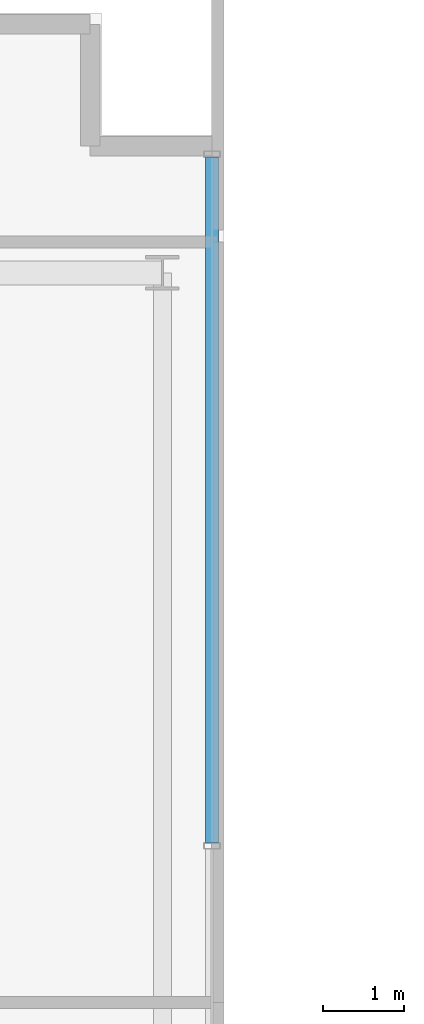
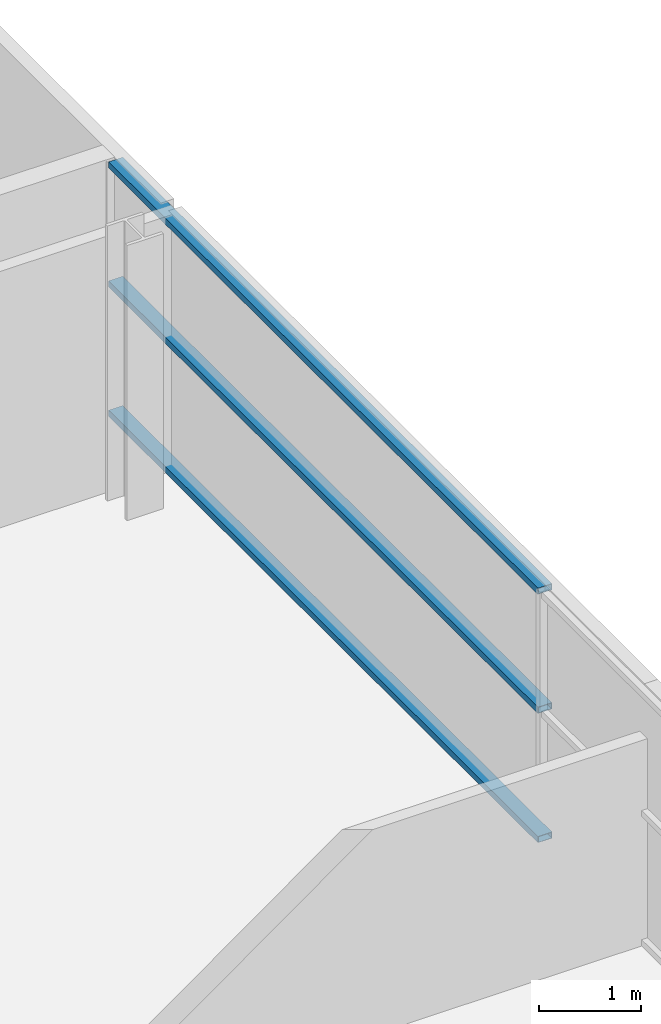
# One storey, part 12 of 26: 3 members, 1 element without a shape of its own.
"""IFC4 building model written with IfcOpenShell, lengths in metres."""

import ifcopenshell
import ifcopenshell.guid

model = None  # the IFC model being written
_history = None  # IfcOwnerHistory: only IFC2X3 demands one
_inside = {}  # id of a spatial element -> (the spatial element, [elements in it])
_under = {}  # id of a project, library or spatial element -> (it, [spatial elements below it])
_declared = {}  # id of a project -> (the project, [libraries it declares])
_typed = {}  # id of a type object -> (the type object, [elements of that type])
_made_of = {}  # id of a material, layer set ... -> (it, [elements and type objects made of it])


def new_model(schema):
    """Start an empty IFC model of exactly this schema.

    Asked for "IFC4X3", IfcOpenShell would pick the latest addendum, in which some entities
    have other attributes; the version numbers below select the first issue.
    IFC2X3 requires an IfcOwnerHistory on every rooted entity: one is made here for all.
    """
    global model, _history
    if schema == "IFC4X3":
        model = ifcopenshell.file(schema_version=(4, 3, 0, 0))
    else:
        model = ifcopenshell.file(schema=schema)
    _inside.clear()
    _under.clear()
    _declared.clear()
    _typed.clear()
    _made_of.clear()
    _history = None
    if model.schema == "IFC2X3":
        org = make("IfcOrganization", Name="unknown")
        user = make(
            "IfcPersonAndOrganization",
            ThePerson=make("IfcPerson", FamilyName="unknown"),
            TheOrganization=org,
        )
        app = make(
            "IfcApplication",
            ApplicationDeveloper=org,
            Version="unknown",
            ApplicationFullName="unknown",
            ApplicationIdentifier="unknown",
        )
        _history = make(
            "IfcOwnerHistory",
            OwningUser=user,
            OwningApplication=app,
            ChangeAction="ADDED",
            CreationDate=0,
        )
    return model


def make(cls, **values):
    """One entity of the class cls with the attributes given. An attribute that is None is left unset."""
    return model.create_entity(
        cls, **{name: value for name, value in values.items() if value is not None}
    )


def rooted(cls, **values):
    """An entity with a GlobalId (a new one), such as an element, a storey or a relation."""
    return make(cls, GlobalId=ifcopenshell.guid.new(), OwnerHistory=_history, **values)


def si_unit(unit_type, name, prefix=None):
    """IfcSIUnit, for example si_unit("LENGTHUNIT", "METRE", prefix="MILLI")."""
    return make("IfcSIUnit", UnitType=unit_type, Prefix=prefix, Name=name)


def assignment(units):
    """IfcUnitAssignment: the units of a project."""
    return None if units is None else make("IfcUnitAssignment", Units=units)


def point(xyz):
    """IfcCartesianPoint."""
    return None if xyz is None else make("IfcCartesianPoint", Coordinates=xyz)


def direction(xyz):
    """IfcDirection."""
    return None if xyz is None else make("IfcDirection", DirectionRatios=xyz)


def frame(location, z_axis=None, x_axis=None):
    """IfcAxis2Placement3D, a coordinate frame: its origin and axes. An axis left out is left unset."""
    return make(
        "IfcAxis2Placement3D",
        Location=point(location),
        Axis=direction(z_axis),
        RefDirection=direction(x_axis),
    )


def frame_2d(location, x_axis=None):
    """IfcAxis2Placement2D, a coordinate frame in the plane: its origin and x axis."""
    return make(
        "IfcAxis2Placement2D", Location=point(location), RefDirection=direction(x_axis)
    )


def origin():
    """The frame at (0, 0, 0) with its axes left unset."""
    return frame((0.0, 0.0, 0.0))


def origin_2d():
    """The frame at (0, 0) in the plane with its x axis left unset."""
    return frame_2d((0.0, 0.0))


def place(relative_to, where):
    """IfcLocalPlacement: puts the frame where relative to a parent placement (None: the world)."""
    return make(
        "IfcLocalPlacement", PlacementRelTo=relative_to, RelativePlacement=where
    )


def context(
    kind, dimensions, precision=None, world=None, true_north=None, identifier=None
):
    """IfcGeometricRepresentationContext, for example the 3D "Model" context."""
    return make(
        "IfcGeometricRepresentationContext",
        ContextIdentifier=identifier,
        ContextType=kind,
        CoordinateSpaceDimension=dimensions,
        Precision=precision,
        WorldCoordinateSystem=world,
        TrueNorth=true_north,
    )


def subcontext(parent, identifier, kind, view, scale=None):
    """IfcGeometricRepresentationSubContext, for example "Body" below "Model"."""
    return make(
        "IfcGeometricRepresentationSubContext",
        ContextIdentifier=identifier,
        ContextType=kind,
        ParentContext=parent,
        TargetScale=scale,
        TargetView=view,
    )


def project(units=None, contexts=None):
    """IfcProject with its units and contexts."""
    return rooted(
        "IfcProject",
        Name="project",
        RepresentationContexts=contexts,
        UnitsInContext=assignment(units),
    )


def spatial(cls, under=None, at=None, **own):
    """A site, building, storey or space (cls), placed at a placement, below another one or the project."""
    s = rooted(cls, ObjectPlacement=at, **own)
    if under is not None:
        _under.setdefault(under.id(), (under, []))[1].append(s)
    return s


def profile(cls, at=None, kind="AREA", **sizes):
    """A parametric profile (cls). Its sizes go by their IFC names, for example OverallWidth=200.0."""
    return make(cls, ProfileType=kind, Position=at, **sizes)


def hollow_rectangle(**sizes):
    """IfcRectangleHollowProfileDef."""
    return profile("IfcRectangleHollowProfileDef", **sizes)


def extrude(swept, where, along, depth):
    """IfcExtrudedAreaSolid: the profile swept, set in the frame where, extruded along a direction by depth."""
    return make(
        "IfcExtrudedAreaSolid",
        SweptArea=swept,
        Position=where,
        ExtrudedDirection=direction(along),
        Depth=depth,
    )


def shape(context_of_items, identifier, shape_type, items):
    """IfcShapeRepresentation: the items that make up one representation, for example the "Body"."""
    return make(
        "IfcShapeRepresentation",
        ContextOfItems=context_of_items,
        RepresentationIdentifier=identifier,
        RepresentationType=shape_type,
        Items=items,
    )


def source(mapping_origin, context_of_items, identifier, shape_type, items):
    """IfcRepresentationMap: a shape defined once, which mapped items show again and again."""
    return make(
        "IfcRepresentationMap",
        MappingOrigin=mapping_origin,
        MappedRepresentation=shape(context_of_items, identifier, shape_type, items),
    )


def transform(
    local_origin,
    x_axis=None,
    y_axis=None,
    z_axis=None,
    scale=None,
    scale2=None,
    scale3=None,
    uniform=True,
):
    """IfcCartesianTransformationOperator3D, or its non-uniform kind. x_axis, y_axis, z_axis: its Axis1, 2, 3."""
    if uniform:
        return make(
            "IfcCartesianTransformationOperator3D",
            Axis1=direction(x_axis),
            Axis2=direction(y_axis),
            LocalOrigin=point(local_origin),
            Scale=scale,
            Axis3=direction(z_axis),
        )
    return make(
        "IfcCartesianTransformationOperator3DnonUniform",
        Axis1=direction(x_axis),
        Axis2=direction(y_axis),
        LocalOrigin=point(local_origin),
        Scale=scale,
        Axis3=direction(z_axis),
        Scale2=scale2,
        Scale3=scale3,
    )


def mapped(mapping_source, mapping_target):
    """IfcMappedItem: shows the shape of a source again, moved by a transform."""
    return make(
        "IfcMappedItem", MappingSource=mapping_source, MappingTarget=mapping_target
    )


def material(Name=None, Category=None):
    """IfcMaterial."""
    return make("IfcMaterial", Name=Name, Category=Category)


def layer(
    of_material, thickness, ventilated=None, Name=None, Category=None, Priority=None
):
    """IfcMaterialLayer: one layer of a wall or slab, of a material (None: an air gap)."""
    return make(
        "IfcMaterialLayer",
        Material=of_material,
        LayerThickness=thickness,
        IsVentilated=ventilated,
        Name=Name,
        Category=Category,
        Priority=Priority,
    )


def layer_set(layers, Name=None):
    """IfcMaterialLayerSet."""
    return make("IfcMaterialLayerSet", MaterialLayers=layers, LayerSetName=Name)


def material_profile(
    of_material, cross_section, Name=None, Category=None, Priority=None
):
    """IfcMaterialProfile: a cross section and its material."""
    return make(
        "IfcMaterialProfile",
        Name=Name,
        Material=of_material,
        Profile=cross_section,
        Priority=Priority,
        Category=Category,
    )


def profile_set(profiles, Name=None, composite=None):
    """IfcMaterialProfileSet."""
    return make(
        "IfcMaterialProfileSet",
        Name=Name,
        MaterialProfiles=profiles,
        CompositeProfile=composite,
    )


def made_of(thing, what):
    """Note that an element or type object is made of a material, layer set ...; save() writes the relation."""
    if what is not None:
        _made_of.setdefault(what.id(), (what, []))[1].append(thing)
    return thing


def type_object(cls, material=None, **own):
    """A type object (cls), such as IfcWallType, which elements share."""
    return made_of(rooted(cls, **own), material)


def element(
    cls,
    number,
    at=None,
    inside=None,
    cuts=None,
    type_object=None,
    material=None,
    context=None,
    identifier="Body",
    shape_type=None,
    held_by="IfcProductDefinitionShape",
    body=None,
    shapes=None,
    **own,
):
    """One element of the class cls, such as IfcWall. Its Tag is "e" and its number.

    at: its placement. inside: the storey or other place that contains it. cuts: it is an
    opening in that element (IfcRelVoidsElement). A single representation is given by context,
    identifier, shape_type and body (its items); several are given by shapes. held_by: the class
    of the entity that holds the representations. save() writes the other relations.
    """
    e = rooted(cls, Tag="e%d" % number, ObjectPlacement=at, **own)
    if body is not None:
        shapes = [shape(context, identifier, shape_type, body)]
    if shapes is not None:
        e.Representation = make(held_by, Representations=shapes)
    if inside is not None:
        _inside.setdefault(inside.id(), (inside, []))[1].append(e)
    if cuts is not None:
        rooted(
            "IfcRelVoidsElement", RelatingBuildingElement=cuts, RelatedOpeningElement=e
        )
    if type_object is not None:
        _typed.setdefault(type_object.id(), (type_object, []))[1].append(e)
    return made_of(e, material)


def aggregate(whole, parts):
    """IfcRelAggregates: a whole, such as a stair, and the parts it consists of."""
    return rooted("IfcRelAggregates", RelatingObject=whole, RelatedObjects=parts)


def save(model, path):
    """Write the relations noted so far, then the file.

    IfcRelAggregates (storeys below a building ...), IfcRelContainedInSpatialStructure (elements
    in a storey), IfcRelDefinesByType, IfcRelAssociatesMaterial and IfcRelDeclares: one each for
    every whole, place, type object, material and project.
    """
    for whole, parts in _under.values():
        aggregate(whole, parts)
    for where, things in _inside.values():
        rooted(
            "IfcRelContainedInSpatialStructure",
            RelatedElements=things,
            RelatingStructure=where,
        )
    for kind, things in _typed.values():
        rooted("IfcRelDefinesByType", RelatedObjects=things, RelatingType=kind)
    for what, things in _made_of.values():
        rooted("IfcRelAssociatesMaterial", RelatedObjects=things, RelatingMaterial=what)
    for by, libraries in _declared.values():
        rooted("IfcRelDeclares", RelatingContext=by, RelatedDefinitions=libraries)
    model.write(path)


model = new_model("IFC4")

# Units and contexts
model_context = context("Model", 3, precision=1e-05, world=origin(), true_north=direction((0.0, 1.0)))
body_context = subcontext(model_context, "Body", "Model", "MODEL_VIEW")
ifc_project = project(units=[si_unit("LENGTHUNIT", "METRE"), si_unit("AREAUNIT", "SQUARE_METRE"), si_unit("VOLUMEUNIT", "CUBIC_METRE"), si_unit("PLANEANGLEUNIT", "RADIAN"), si_unit("MASSUNIT", "GRAM", prefix="KILO")], contexts=[model_context])

# Site, building, storey
site_placement = place(None, origin())
site = spatial("IfcSite", under=ifc_project, at=site_placement, CompositionType="ELEMENT")
building_placement = place(site_placement, origin())
building = spatial("IfcBuilding", under=site, at=building_placement, Name="Zarnakvel Exchange Tower", CompositionType="ELEMENT")
storey_placement = place(building_placement, frame((0.0, 0.0, 70.300048828125)))
storey = spatial("IfcBuildingStorey", under=building, at=storey_placement, Name="L19", CompositionType="ELEMENT", Elevation=70.300048828125)

# Curtain wall, members
ifc_material = material(Name="Architectural Bronze Anodised Aluminium", Category="aluminium")
ifc_layer = layer(ifc_material, 0.199951171875)
ifc_layer_set = layer_set([ifc_layer], Name="Architectural Bronze Anodised Aluminium")
curtain_wall_type = type_object("IfcCurtainWallType", Name="CW-04", PredefinedType="NOTDEFINED", material=ifc_layer_set)
curtain_wall_placement = place(storey_placement, origin())
curtain_wall = element("IfcCurtainWall", 1, at=curtain_wall_placement, inside=storey, type_object=curtain_wall_type, Name="L19 Curtain Wall CW-L19-EN (CW-04)", PredefinedType="NOTDEFINED")
ifc_material_profile = material_profile(ifc_material, hollow_rectangle(XDim=0.159912109375, YDim=0.074951171875, WallThickness=0.00390625, at=origin_2d()))
ifc_profile_set = profile_set([ifc_material_profile], Name="Architectural Bronze Anodised Aluminium")
member_type = type_object("IfcMemberType", Name="CWT-04", PredefinedType="USERDEFINED", material=ifc_profile_set)
shared_shape = source(origin(), body_context, "Body", "SweptSolid", [
    extrude(hollow_rectangle(XDim=0.159912109375, YDim=0.074951171875, WallThickness=0.00390625, at=origin_2d()), origin(), (0.0, 0.0, 1.0), 8.4375),
])
member_1_placement = place(storey_placement, frame((32.4599609375, 6.487548828125, 0.037353515625), z_axis=(0.0, 1.0, 0.0), x_axis=(-1.0, 0.0, 0.0)))
member_1 = element("IfcMember", 2, at=member_1_placement, type_object=member_type, Name="CW-04 transom 2.1", ObjectType="TRANSOM", PredefinedType="USERDEFINED", context=body_context, shape_type="MappedRepresentation", body=[
    mapped(shared_shape, transform((0.0, 0.0, 0.0), x_axis=(1.0, 0.0, 0.0), y_axis=(0.0, 1.0, 0.0), z_axis=(0.0, 0.0, 1.0), scale=1.0)),
])
member_2_placement = place(storey_placement, frame((32.4599609375, 6.487548828125, 1.588623046875), z_axis=(0.0, 1.0, 0.0), x_axis=(-1.0, 0.0, 0.0)))
member_2 = element("IfcMember", 3, at=member_2_placement, type_object=member_type, Name="CW-04 transom 2.2", ObjectType="TRANSOM", PredefinedType="USERDEFINED", context=body_context, shape_type="MappedRepresentation", body=[
    mapped(shared_shape, transform((0.0, 0.0, 0.0), x_axis=(1.0, 0.0, 0.0), y_axis=(0.0, 1.0, 0.0), z_axis=(0.0, 0.0, 1.0), scale=1.0)),
])
member_3_placement = place(storey_placement, frame((32.4599609375, 6.487548828125, 3.017333984375), z_axis=(0.0, 1.0, 0.0), x_axis=(-1.0, 0.0, 0.0)))
member_3 = element("IfcMember", 4, at=member_3_placement, type_object=member_type, Name="CW-04 transom 2.3", ObjectType="TRANSOM", PredefinedType="USERDEFINED", context=body_context, shape_type="MappedRepresentation", body=[
    mapped(shared_shape, transform((0.0, 0.0, 0.0), x_axis=(1.0, 0.0, 0.0), y_axis=(0.0, 1.0, 0.0), z_axis=(0.0, 0.0, 1.0), scale=1.0)),
])
aggregate(curtain_wall, [member_1, member_2, member_3])

save(model, "model.ifc")
